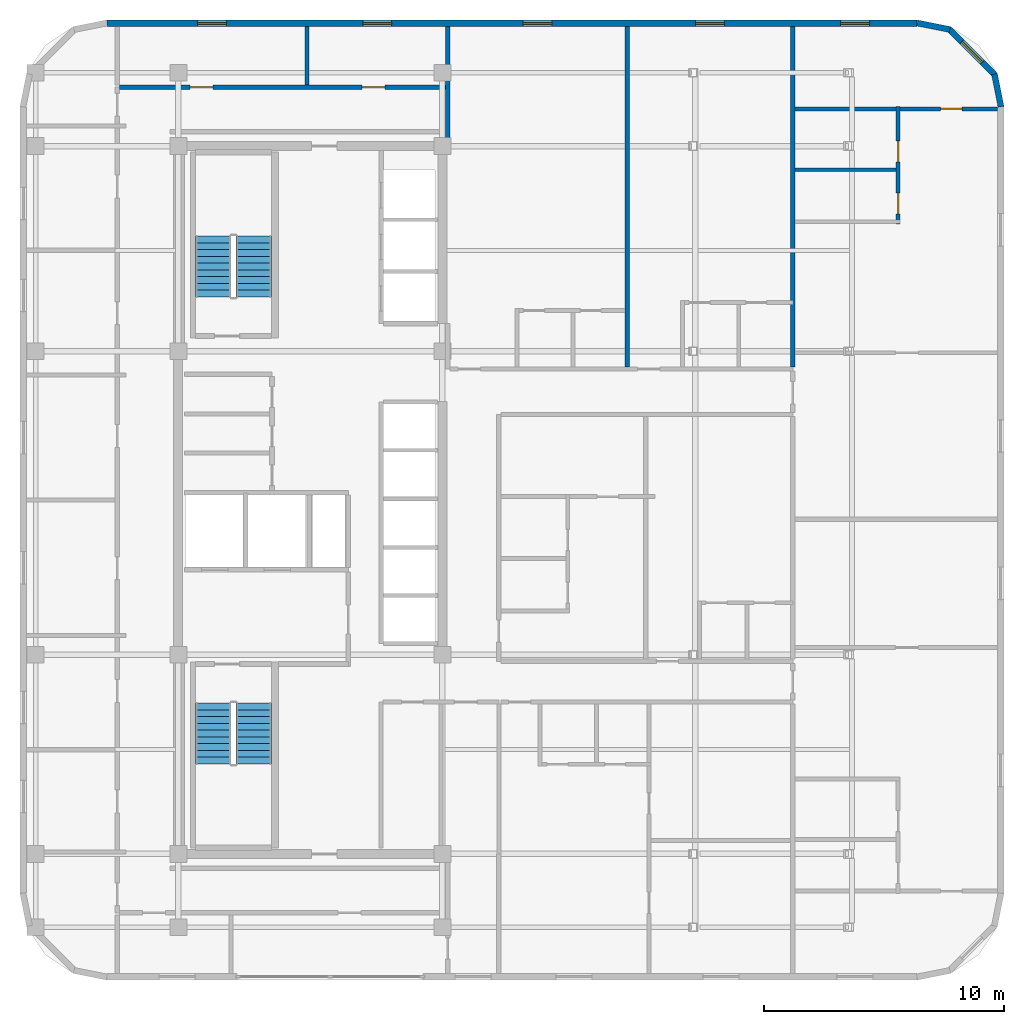
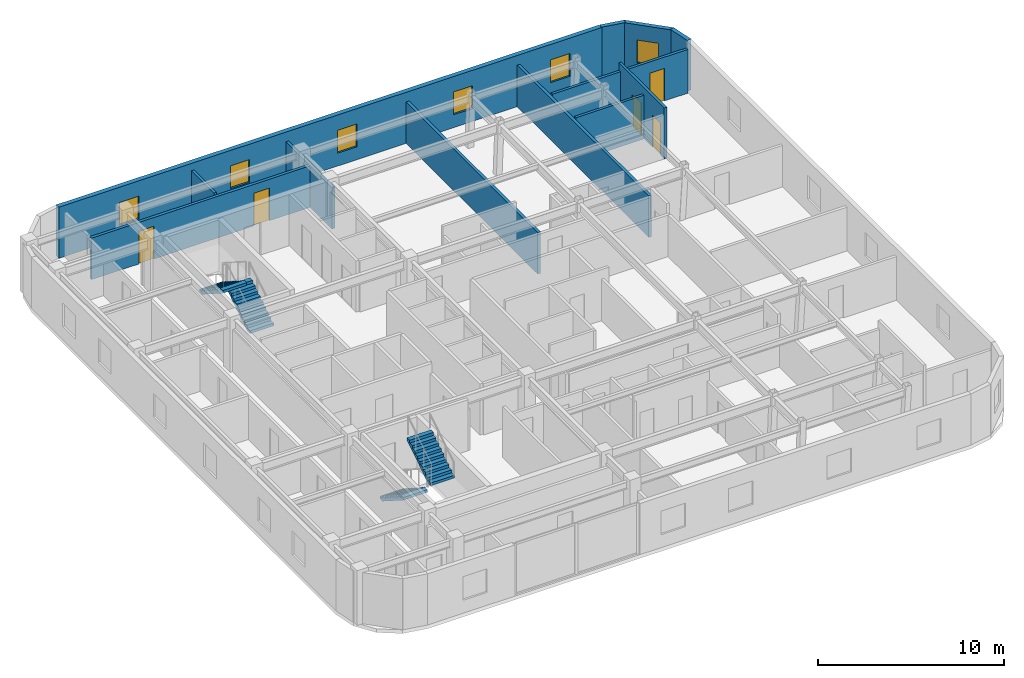
# One storey, part 8 of 9: 12 walls, 6 windows, 5 doors, 4 stair flights, 11 openings, 2 elements without a shape of their own.
"""IFC4 building model written with IfcOpenShell, lengths in metres."""

from ifc_helpers import new_model, si_unit, direction, frame, frame_2d, origin, place, context, subcontext, project, spatial, polyline, rectangle, outline, extrude, material, layer, layer_set, type_object, element, fill, aggregate, save


model = new_model("IFC4")

# Units and contexts
model_context = context("Model", 3, precision=1e-05, world=origin(), true_north=direction((0.0, 1.0)))
body_context = subcontext(model_context, "Body", "Model", "MODEL_VIEW")
ifc_project = project(units=[si_unit("LENGTHUNIT", "METRE"), si_unit("AREAUNIT", "SQUARE_METRE"), si_unit("VOLUMEUNIT", "CUBIC_METRE"), si_unit("PLANEANGLEUNIT", "RADIAN"), si_unit("MASSUNIT", "GRAM", prefix="KILO")], contexts=[model_context])

# Site, building, storey
site_placement = place(None, origin())
site = spatial("IfcSite", under=ifc_project, at=site_placement, CompositionType="ELEMENT")
building_placement = place(site_placement, origin())
building = spatial("IfcBuilding", under=site, at=building_placement, Name="Ochreholt Gables", CompositionType="ELEMENT")
storey_placement = place(building_placement, frame((0.0, 0.0, 162.60009765625)))
storey = spatial("IfcBuildingStorey", under=building, at=storey_placement, Name="L42", CompositionType="ELEMENT", Elevation=162.60009765625)

# Wall, openings, windows
ifc_material_1 = material(Name="Precast concrete 40 MPa", Category="concrete")
ifc_layer_1 = layer(ifc_material_1, 0.280029296875, Name="Precast concrete 40 MPa")
ifc_layer_set_1 = layer_set([ifc_layer_1], Name="Precast concrete 40 MPa")
wall_type_1 = type_object("IfcWallType", Name="WALL-EXT-280", PredefinedType="SOLIDWALL", material=ifc_layer_set_1)
wall_1_placement = place(storey_placement, frame((54.97998046875, 43.860107421875, 0.0), z_axis=(0.0, 0.0, 1.0), x_axis=(-1.0, 0.0, 0.0)))
wall_1 = element("IfcWall", 1, at=wall_1_placement, inside=storey, type_object=wall_type_1, Name="L42 North Exterior Wall", PredefinedType="SOLIDWALL", context=body_context, shape_type="SweptSolid", body=[
    extrude(rectangle(XDim=33.760009765625, YDim=0.280029296875, at=frame_2d((16.8798828125, 0.0))), origin(), (0.0, 0.0, 1.0), 3.35986328125),
])
opening_1_placement = place(wall_1_placement, frame((28.780029296875, 0.0, 0.85009765625)))
opening_1 = element("IfcOpeningElement", 2, at=opening_1_placement, cuts=wall_1, Name="Opening WN-3", PredefinedType="OPENING", context=body_context, shape_type="SweptSolid", body=[
    extrude(rectangle(XDim=1.199951171875, YDim=1.5, at=frame_2d((0.60009765625, 0.75))), frame((0.0, 0.14990234375, 0.0), z_axis=(0.0, -1.0, 0.0), x_axis=(1.0, 0.0, 0.0)), (0.0, 0.0, 1.0), 0.300048828125),
])
opening_2_placement = place(wall_1_placement, frame((21.89501953125, 0.0, 0.85009765625)))
opening_2 = element("IfcOpeningElement", 3, at=opening_2_placement, cuts=wall_1, Name="Opening WN-3", PredefinedType="OPENING", context=body_context, shape_type="SweptSolid", body=[
    extrude(rectangle(XDim=1.199951171875, YDim=1.5, at=frame_2d((0.60009765625, 0.75))), frame((0.0, 0.14990234375, 0.0), z_axis=(0.0, -1.0, 0.0), x_axis=(1.0, 0.0, 0.0)), (0.0, 0.0, 1.0), 0.300048828125),
])
opening_3_placement = place(wall_1_placement, frame((15.22119140625, 0.0, 0.85009765625)))
opening_3 = element("IfcOpeningElement", 4, at=opening_3_placement, cuts=wall_1, Name="Opening WN-3", PredefinedType="OPENING", context=body_context, shape_type="SweptSolid", body=[
    extrude(rectangle(XDim=1.199951171875, YDim=1.5, at=frame_2d((0.60009765625, 0.75))), frame((0.0, 0.14990234375, 0.0), z_axis=(0.0, -1.0, 0.0), x_axis=(1.0, 0.0, 0.0)), (0.0, 0.0, 1.0), 0.300048828125),
])
opening_4_placement = place(wall_1_placement, frame((8.03125, 0.0, 0.85009765625)))
opening_4 = element("IfcOpeningElement", 5, at=opening_4_placement, cuts=wall_1, Name="Opening WN-3", PredefinedType="OPENING", context=body_context, shape_type="SweptSolid", body=[
    extrude(rectangle(XDim=1.199951171875, YDim=1.5, at=frame_2d((0.60009765625, 0.75))), frame((0.0, 0.14990234375, 0.0), z_axis=(0.0, -1.0, 0.0), x_axis=(1.0, 0.0, 0.0)), (0.0, 0.0, 1.0), 0.300048828125),
])
opening_5_placement = place(wall_1_placement, frame((1.989990234375, 0.0, 0.85009765625)))
opening_5 = element("IfcOpeningElement", 6, at=opening_5_placement, cuts=wall_1, Name="Opening WN-3", PredefinedType="OPENING", context=body_context, shape_type="SweptSolid", body=[
    extrude(rectangle(XDim=1.199951171875, YDim=1.5, at=frame_2d((0.60009765625, 0.75))), frame((0.0, 0.14990234375, 0.0), z_axis=(0.0, -1.0, 0.0), x_axis=(1.0, 0.0, 0.0)), (0.0, 0.0, 1.0), 0.300048828125),
])
ifc_material_2 = material(Name="Triple-Glazed Thermally Broken Aluminium Window", Category="aluminium")
window_type = type_object("IfcWindowType", Name="WIN-RES-1200", PartitioningType="SINGLE_PANEL", PredefinedType="WINDOW", material=ifc_material_2)
window_1_placement = place(opening_1_placement, origin())
window_1 = element("IfcWindow", 7, at=window_1_placement, inside=storey, type_object=window_type, Name="L42 Window W-EXT-N-L42-1", OverallHeight=1.5, OverallWidth=1.199951171875, PartitioningType="SINGLE_PANEL", PredefinedType="WINDOW", context=body_context, shape_type="SweptSolid", body=[
    extrude(rectangle(XDim=1.199951171875, YDim=1.5, at=frame_2d((0.60009765625, 0.75))), frame((0.0, 0.030029296875, 0.0), z_axis=(0.0, -1.0, 0.0), x_axis=(1.0, 0.0, 0.0)), (0.0, 0.0, 1.0), 0.06005859375),
])
fill(opening_1, window_1)
window_2_placement = place(opening_2_placement, origin())
window_2 = element("IfcWindow", 8, at=window_2_placement, inside=storey, type_object=window_type, Name="L42 Window W-EXT-N-L42-2", OverallHeight=1.5, OverallWidth=1.199951171875, PartitioningType="SINGLE_PANEL", PredefinedType="WINDOW", context=body_context, shape_type="SweptSolid", body=[
    extrude(rectangle(XDim=1.199951171875, YDim=1.5, at=frame_2d((0.60009765625, 0.75))), frame((0.0, 0.030029296875, 0.0), z_axis=(0.0, -1.0, 0.0), x_axis=(1.0, 0.0, 0.0)), (0.0, 0.0, 1.0), 0.06005859375),
])
fill(opening_2, window_2)
window_3_placement = place(opening_3_placement, origin())
window_3 = element("IfcWindow", 9, at=window_3_placement, inside=storey, type_object=window_type, Name="L42 Window W-EXT-N-L42-3", OverallHeight=1.5, OverallWidth=1.199951171875, PartitioningType="SINGLE_PANEL", PredefinedType="WINDOW", context=body_context, shape_type="SweptSolid", body=[
    extrude(rectangle(XDim=1.199951171875, YDim=1.5, at=frame_2d((0.60009765625, 0.75))), frame((0.0, 0.030029296875, 0.0), z_axis=(0.0, -1.0, 0.0), x_axis=(1.0, 0.0, 0.0)), (0.0, 0.0, 1.0), 0.06005859375),
])
fill(opening_3, window_3)
window_4_placement = place(opening_4_placement, origin())
window_4 = element("IfcWindow", 10, at=window_4_placement, inside=storey, type_object=window_type, Name="L42 Window W-EXT-N-L42-4", OverallHeight=1.5, OverallWidth=1.199951171875, PartitioningType="SINGLE_PANEL", PredefinedType="WINDOW", context=body_context, shape_type="SweptSolid", body=[
    extrude(rectangle(XDim=1.199951171875, YDim=1.5, at=frame_2d((0.60009765625, 0.75))), frame((0.0, 0.030029296875, 0.0), z_axis=(0.0, -1.0, 0.0), x_axis=(1.0, 0.0, 0.0)), (0.0, 0.0, 1.0), 0.06005859375),
])
fill(opening_4, window_4)
window_5_placement = place(opening_5_placement, origin())
window_5 = element("IfcWindow", 11, at=window_5_placement, inside=storey, type_object=window_type, Name="L42 Window W-EXT-N-L42-5", OverallHeight=1.5, OverallWidth=1.199951171875, PartitioningType="SINGLE_PANEL", PredefinedType="WINDOW", context=body_context, shape_type="SweptSolid", body=[
    extrude(rectangle(XDim=1.199951171875, YDim=1.5, at=frame_2d((0.60009765625, 0.75))), frame((0.0, 0.030029296875, 0.0), z_axis=(0.0, -1.0, 0.0), x_axis=(1.0, 0.0, 0.0)), (0.0, 0.0, 1.0), 0.06005859375),
])
fill(opening_5, window_5)

# Wall
ifc_layer_2 = layer(ifc_material_1, 0.25, Name="Precast concrete 40 MPa")
ifc_layer_set_2 = layer_set([ifc_layer_2], Name="Precast concrete 40 MPa")
wall_type_2 = type_object("IfcWallType", Name="WALL-EXT-CNR", PredefinedType="SOLIDWALL", material=ifc_layer_set_2)
wall_2_placement = place(storey_placement, frame((58.475830078125, 40.383544921875, 0.0), z_axis=(0.0, 0.0, 1.0), x_axis=(-0.19496651342, 0.980809899341, 0.0)))
element("IfcWall", 12, at=wall_2_placement, inside=storey, type_object=wall_type_2, Name="L42 Rounded Corner Wall NE-1", PredefinedType="SOLIDWALL", context=body_context, shape_type="SweptSolid", body=[
    extrude(rectangle(XDim=1.388671875, YDim=0.25, at=frame_2d((0.6943359375, 0.0))), origin(), (0.0, 0.0, 1.0), 3.35986328125),
])

# Wall, opening, window
wall_3_placement = place(storey_placement, frame((58.23193359375, 41.695068359375, 0.0), z_axis=(0.0, 0.0, 1.0), x_axis=(-0.707106781187, 0.707106781187, 0.0)))
wall_3 = element("IfcWall", 13, at=wall_3_placement, inside=storey, type_object=wall_type_2, Name="L42 Rounded Corner Wall NE-2", PredefinedType="SOLIDWALL", context=body_context, shape_type="SweptSolid", body=[
    extrude(rectangle(XDim=2.7392578125, YDim=0.25, at=frame_2d((1.36962890625, 0.0))), origin(), (0.0, 0.0, 1.0), 3.35986328125),
])
opening_6_placement = place(wall_3_placement, frame((0.769775390625, 0.0, 0.85009765625)))
opening_6 = element("IfcOpeningElement", 14, at=opening_6_placement, cuts=wall_3, Name="Opening WN-3", PredefinedType="OPENING", context=body_context, shape_type="SweptSolid", body=[
    extrude(rectangle(XDim=1.199951171875, YDim=1.5, at=frame_2d((0.60009765625, 0.75))), frame((0.0, 0.135009765625, 0.0), z_axis=(0.0, -1.0, 0.0), x_axis=(1.0, 0.0, 0.0)), (0.0, 0.0, 1.0), 0.27001953125),
])
window_6_placement = place(opening_6_placement, origin())
window_6 = element("IfcWindow", 15, at=window_6_placement, inside=storey, type_object=window_type, Name="L42 Corner Bedroom Window NE", OverallHeight=1.5, OverallWidth=1.199951171875, PartitioningType="SINGLE_PANEL", PredefinedType="WINDOW", context=body_context, shape_type="SweptSolid", body=[
    extrude(rectangle(XDim=1.199951171875, YDim=1.5, at=frame_2d((0.60009765625, 0.75))), frame((0.0, 0.030029296875, 0.0), z_axis=(0.0, -1.0, 0.0), x_axis=(1.0, 0.0, 0.0)), (0.0, 0.0, 1.0), 0.06005859375),
])
fill(opening_6, window_6)

# Wall
wall_4_placement = place(storey_placement, frame((56.345458984375, 43.60498046875, 0.0), z_axis=(0.0, 0.0, 1.0), x_axis=(-0.980809899341, 0.19496651342, 0.0)))
element("IfcWall", 16, at=wall_4_placement, inside=storey, type_object=wall_type_2, Name="L42 Rounded Corner Wall NE-3", PredefinedType="SOLIDWALL", context=body_context, shape_type="SweptSolid", body=[
    extrude(rectangle(XDim=1.388671875, YDim=0.25, at=frame_2d((0.6943359375, 0.0))), origin(), (0.0, 0.0, 1.0), 3.35986328125),
])

# Wall, openings, doors
ifc_material_3 = material(Name="Fire-Rated Gypsum Acoustic Partition", Category="gypsum")
ifc_layer_3 = layer(ifc_material_3, 0.179931640625, Name="Fire-Rated Gypsum Acoustic Partition")
ifc_layer_set_3 = layer_set([ifc_layer_3], Name="Fire-Rated Gypsum Acoustic Partition")
wall_type_3 = type_object("IfcWallType", Name="WALL-INT-CR180", PredefinedType="STANDARD", material=ifc_layer_set_3)
wall_5_placement = place(storey_placement, frame((21.739990234375, 41.199951171875, 0.0), z_axis=(0.0, 0.0, 1.0), x_axis=(1.0, 0.0, 0.0)))
wall_5 = element("IfcWall", 17, at=wall_5_placement, inside=storey, type_object=wall_type_3, Name="L42 Interior Wall WI-C2WCN-L42", PredefinedType="STANDARD", context=body_context, shape_type="SweptSolid", body=[
    extrude(rectangle(XDim=13.679931640625, YDim=0.179931640625, at=frame_2d((6.83984375, 0.0))), origin(), (0.0, 0.0, 1.0), 2.72998046875),
])
opening_7_placement = place(wall_5_placement, frame((2.949951171875, 0.0, 0.0)))
opening_7 = element("IfcOpeningElement", 18, at=opening_7_placement, cuts=wall_5, Name="Opening D-GN1", PredefinedType="OPENING", context=body_context, shape_type="SweptSolid", body=[
    extrude(rectangle(XDim=0.949951171875, YDim=2.14990234375, at=frame_2d((0.47509765625, 1.074951171875))), frame((0.0, 0.099853515625, 0.0), z_axis=(0.0, -1.0, 0.0), x_axis=(1.0, 0.0, 0.0)), (0.0, 0.0, 1.0), 0.199951171875),
])
opening_8_placement = place(wall_5_placement, frame((10.110107421875, 0.0, 0.0)))
opening_8 = element("IfcOpeningElement", 19, at=opening_8_placement, cuts=wall_5, Name="Opening D-GN1", PredefinedType="OPENING", context=body_context, shape_type="SweptSolid", body=[
    extrude(rectangle(XDim=0.949951171875, YDim=2.14990234375, at=frame_2d((0.47509765625, 1.074951171875))), frame((0.0, 0.099853515625, 0.0), z_axis=(0.0, -1.0, 0.0), x_axis=(1.0, 0.0, 0.0)), (0.0, 0.0, 1.0), 0.199951171875),
])
ifc_material_4 = material(Name="Engineered Oak Timber", Category="wood")
door_type_1 = type_object("IfcDoorType", Name="DR-INT-GEN950", OperationType="NOTDEFINED", PredefinedType="DOOR", material=ifc_material_4)
door_1_placement = place(opening_7_placement, origin())
door_1 = element("IfcDoor", 20, at=door_1_placement, inside=storey, type_object=door_type_1, Name="L42 Door D-C2NRS1-L42", OperationType="SINGLE_SWING_RIGHT", OverallHeight=2.14990234375, OverallWidth=0.949951171875, PredefinedType="DOOR", context=body_context, shape_type="SweptSolid", body=[
    extrude(rectangle(XDim=0.949951171875, YDim=2.14990234375, at=frame_2d((0.47509765625, 1.074951171875))), frame((0.0, 0.02490234375, 0.0), z_axis=(0.0, -1.0, 0.0), x_axis=(1.0, 0.0, 0.0)), (0.0, 0.0, 1.0), 0.050048828125),
])
fill(opening_7, door_1)
door_2_placement = place(opening_8_placement, origin())
door_2 = element("IfcDoor", 21, at=door_2_placement, inside=storey, type_object=door_type_1, Name="L42 Door D-C2NRS2-L42", OperationType="SINGLE_SWING_LEFT", OverallHeight=2.14990234375, OverallWidth=0.949951171875, PredefinedType="DOOR", context=body_context, shape_type="SweptSolid", body=[
    extrude(rectangle(XDim=0.949951171875, YDim=2.14990234375, at=frame_2d((0.47509765625, 1.074951171875))), frame((0.0, 0.02490234375, 0.0), z_axis=(0.0, -1.0, 0.0), x_axis=(1.0, 0.0, 0.0)), (0.0, 0.0, 1.0), 0.050048828125),
])
fill(opening_8, door_2)

# Walls
ifc_material_5 = material(Name="Double-Stud Acoustic Demising Wall", Category="gypsum")
ifc_layer_4 = layer(ifc_material_5, 0.179931640625, Name="Double-Stud Acoustic Demising Wall")
ifc_layer_set_4 = layer_set([ifc_layer_4], Name="Double-Stud Acoustic Demising Wall")
wall_type_4 = type_object("IfcWallType", Name="WALL-INT-DM180", PredefinedType="PARTITIONING", material=ifc_layer_set_4)
wall_6_placement = place(storey_placement, frame((35.419921875, 38.75, 0.0), z_axis=(0.0, 0.0, 1.0), x_axis=(0.0, 1.0, 0.0)))
element("IfcWall", 22, at=wall_6_placement, inside=storey, type_object=wall_type_4, Name="L42 Interior Wall WI-C2NEN-L42", PredefinedType="PARTITIONING", context=body_context, shape_type="SweptSolid", body=[
    extrude(rectangle(XDim=4.969970703125, YDim=0.179931640625, at=frame_2d((2.48486328125, 0.0))), origin(), (0.0, 0.0, 1.0), 2.72998046875),
])
for number, where, z_axis, x_axis, name in (
    (23, (42.897705078125, 29.550048828125, 0.0), (0.0, 0.0, 1.0), (0.0, 1.0, 0.0), "L42 Interior Wall WI-C2UDN-L42"),
    (24, (49.800048828125, 29.550048828125, 0.0), (0.0, 0.0, 1.0), (0.0, 1.0, 0.0), "L42 Interior Wall WI-C2FEW3-L42"),
):
    element("IfcWall", number, at=place(storey_placement, frame(where, z_axis=z_axis, x_axis=x_axis)), inside=storey, type_object=wall_type_4, Name=name, PredefinedType="PARTITIONING", context=body_context, shape_type="SweptSolid", body=[
        extrude(rectangle(XDim=14.169921875, YDim=0.179931640625, at=frame_2d((7.0849609375, 0.0))), origin(), (0.0, 0.0, 1.0), 2.72998046875),
    ])

# Wall, openings, doors
ifc_material_6 = material(Name="Moisture-Resistant Plumbing Chase Wall", Category="gypsum")
ifc_layer_5 = layer(ifc_material_6, 0.159912109375, Name="Moisture-Resistant Plumbing Chase Wall")
ifc_layer_set_5 = layer_set([ifc_layer_5], Name="Moisture-Resistant Plumbing Chase Wall")
wall_type_5 = type_object("IfcWallType", Name="WALL-INT-PL160", PredefinedType="PLUMBINGWALL", material=ifc_layer_set_5)
wall_7_placement = place(storey_placement, frame((54.18994140625, 35.5029296875, 0.0), z_axis=(0.0, 0.0, 1.0), x_axis=(0.0, 1.0, 0.0)))
wall_7 = element("IfcWall", 25, at=wall_7_placement, inside=storey, type_object=wall_type_5, Name="L42 Interior Wall WU-L42FEN-WX", PredefinedType="PLUMBINGWALL", context=body_context, shape_type="SweptSolid", body=[
    extrude(rectangle(XDim=4.886962890625, YDim=0.159912109375, at=frame_2d((2.443359375, 0.0))), origin(), (0.0, 0.0, 1.0), 3.35986328125),
])
opening_9_placement = place(wall_7_placement, frame((0.419921875, 0.0, 0.0)))
opening_9 = element("IfcOpeningElement", 26, at=opening_9_placement, cuts=wall_7, Name="Opening D-BT1", PredefinedType="OPENING", context=body_context, shape_type="SweptSolid", body=[
    extrude(rectangle(XDim=0.860107421875, YDim=2.1201171875, at=frame_2d((0.43017578125, 1.06005859375))), frame((0.0, 0.08984375, 0.0), z_axis=(0.0, -1.0, 0.0), x_axis=(1.0, 0.0, 0.0)), (0.0, 0.0, 1.0), 0.179931640625),
])
opening_10_placement = place(wall_7_placement, frame((2.585205078125, 0.0, 0.0)))
opening_10 = element("IfcOpeningElement", 27, at=opening_10_placement, cuts=wall_7, Name="Opening D-GN2", PredefinedType="OPENING", context=body_context, shape_type="SweptSolid", body=[
    extrude(rectangle(XDim=0.8798828125, YDim=2.1201171875, at=frame_2d((0.43994140625, 1.06005859375))), frame((0.0, 0.08984375, 0.0), z_axis=(0.0, -1.0, 0.0), x_axis=(1.0, 0.0, 0.0)), (0.0, 0.0, 1.0), 0.179931640625),
])
door_type_2 = type_object("IfcDoorType", Name="DR-INT-BTH860", OperationType="NOTDEFINED", PredefinedType="DOOR", material=ifc_material_4)
door_3_placement = place(opening_9_placement, origin())
door_3 = element("IfcDoor", 28, at=door_3_placement, inside=storey, type_object=door_type_2, Name="L42 Door D-U-L42FEN-BTH", OperationType="SINGLE_SWING_LEFT", OverallHeight=2.1201171875, OverallWidth=0.860107421875, PredefinedType="DOOR", context=body_context, shape_type="SweptSolid", body=[
    extrude(rectangle(XDim=0.860107421875, YDim=2.1201171875, at=frame_2d((0.43017578125, 1.06005859375))), frame((0.0, 0.02490234375, 0.0), z_axis=(0.0, -1.0, 0.0), x_axis=(1.0, 0.0, 0.0)), (0.0, 0.0, 1.0), 0.050048828125),
])
fill(opening_9, door_3)
door_type_3 = type_object("IfcDoorType", Name="DR-INT-GEN880", OperationType="NOTDEFINED", PredefinedType="DOOR", material=ifc_material_4)
door_4_placement = place(opening_10_placement, origin())
door_4 = element("IfcDoor", 29, at=door_4_placement, inside=storey, type_object=door_type_3, Name="L42 Door D-U-L42FEN-KIT", OperationType="SINGLE_SWING_RIGHT", OverallHeight=2.1201171875, OverallWidth=0.8798828125, PredefinedType="DOOR", context=body_context, shape_type="SweptSolid", body=[
    extrude(rectangle(XDim=0.8798828125, YDim=2.1201171875, at=frame_2d((0.43994140625, 1.06005859375))), frame((0.0, 0.02490234375, 0.0), z_axis=(0.0, -1.0, 0.0), x_axis=(1.0, 0.0, 0.0)), (0.0, 0.0, 1.0), 0.050048828125),
])
fill(opening_10, door_4)

# Wall
wall_8_placement = place(storey_placement, frame((49.889892578125, 37.75830078125, 0.0), z_axis=(0.0, 0.0, 1.0), x_axis=(1.0, 0.0, 0.0)))
element("IfcWall", 30, at=wall_8_placement, inside=storey, type_object=wall_type_5, Name="L42 Interior Wall WU-L42FEN-WK", PredefinedType="PLUMBINGWALL", context=body_context, shape_type="SweptSolid", body=[
    extrude(rectangle(XDim=4.22021484375, YDim=0.159912109375, at=frame_2d((2.110107421875, 0.0))), origin(), (0.0, 0.0, 1.0), 2.87890625),
])

# Wall, opening, door
ifc_material_7 = material(Name="Gypsum Acoustic Stud Partition", Category="gypsum")
ifc_layer_6 = layer(ifc_material_7, 0.1650390625, Name="Gypsum Acoustic Stud Partition")
ifc_layer_set_6 = layer_set([ifc_layer_6], Name="Gypsum Acoustic Stud Partition")
wall_type_6 = type_object("IfcWallType", Name="WALL-INT-PT165", PredefinedType="PARTITIONING", material=ifc_layer_set_6)
wall_9_placement = place(storey_placement, frame((49.889892578125, 40.300048828125, 0.0), z_axis=(0.0, 0.0, 1.0), x_axis=(1.0, 0.0, 0.0)))
wall_9 = element("IfcWall", 31, at=wall_9_placement, inside=storey, type_object=wall_type_6, Name="L42 Interior Wall WU-L42FEN-MN", PredefinedType="PARTITIONING", context=body_context, shape_type="SweptSolid", body=[
    extrude(rectangle(XDim=8.43017578125, YDim=0.1650390625, at=frame_2d((4.215087890625, 0.0))), origin(), (0.0, 0.0, 1.0), 2.87890625),
])
opening_11_placement = place(wall_9_placement, frame((6.070068359375, 0.0, 0.0)))
opening_11 = element("IfcOpeningElement", 32, at=opening_11_placement, cuts=wall_9, Name="Opening D-BD1", PredefinedType="OPENING", context=body_context, shape_type="SweptSolid", body=[
    extrude(rectangle(XDim=0.89990234375, YDim=2.139892578125, at=frame_2d((0.449951171875, 1.06982421875))), frame((0.0, 0.092529296875, 0.0), z_axis=(0.0, -1.0, 0.0), x_axis=(1.0, 0.0, 0.0)), (0.0, 0.0, 1.0), 0.18505859375),
])
door_type_4 = type_object("IfcDoorType", Name="DR-INT-BED900", OperationType="NOTDEFINED", PredefinedType="DOOR", material=ifc_material_4)
door_5_placement = place(opening_11_placement, origin())
door_5 = element("IfcDoor", 33, at=door_5_placement, inside=storey, type_object=door_type_4, Name="L42 Door D-U-L42FEN-BD1", OperationType="SINGLE_SWING_LEFT", OverallHeight=2.139892578125, OverallWidth=0.89990234375, PredefinedType="DOOR", context=body_context, shape_type="SweptSolid", body=[
    extrude(rectangle(XDim=0.89990234375, YDim=2.139892578125, at=frame_2d((0.449951171875, 1.06982421875))), frame((0.0, 0.02490234375, 0.0), z_axis=(0.0, -1.0, 0.0), x_axis=(1.0, 0.0, 0.0)), (0.0, 0.0, 1.0), 0.050048828125),
])
fill(opening_11, door_5)

# Wall
wall_10_placement = place(storey_placement, frame((29.550048828125, 41.2900390625, 0.0), z_axis=(0.0, 0.0, 1.0), x_axis=(0.0, 1.0, 0.0)))
element("IfcWall", 34, at=wall_10_placement, inside=storey, type_object=wall_type_6, Name="L42 Interior Wall WI-C2PKN-L42", PredefinedType="PARTITIONING", context=body_context, shape_type="SweptSolid", body=[
    extrude(rectangle(XDim=2.429931640625, YDim=0.1650390625, at=frame_2d((1.21484375, 0.0))), origin(), (0.0, 0.0, 1.0), 2.87890625),
])

# Stair, stair flights
ifc_material_8 = material(Name="Concrete 40 MPa", Category="concrete")
stair_type_1 = type_object("IfcStairType", Name="STAIR-CORE-ST-1", PredefinedType="HALF_TURN_STAIR", material=ifc_material_8)
stair_1_placement = place(storey_placement, origin())
stair_1 = element("IfcStair", 35, at=stair_1_placement, inside=storey, type_object=stair_type_1, Name="L42 Core Exit Stair 1", PredefinedType="HALF_TURN_STAIR")
stair_flight_type = type_object("IfcStairFlightType", Name="FLIGHT-ST-1480-1800", PredefinedType="STRAIGHT", material=ifc_material_8)
stair_flight_1_placement = place(storey_placement, frame((25.659912109375, 15.5400390625, 0.0), z_axis=(0.0, 0.0, 1.0), x_axis=(0.0, -1.0, 0.0)))
stair_flight_1 = element("IfcStairFlight", 36, at=stair_flight_1_placement, type_object=stair_flight_type, Name="ST-1 flight 1", NumberOfRisers=10, NumberOfTreads=9, PredefinedType="STRAIGHT", RiserHeight=0.18, TreadLength=0.282, context=body_context, shape_type="SweptSolid", body=[
    extrude(outline(polyline([(0.0, 0.0), (0.0, 0.179931640625), (0.281982421875, 0.179931640625), (0.281982421875, 0.360107421875), (0.56396484375, 0.360107421875), (0.56396484375, 0.5400390625), (0.845947265625, 0.5400390625), (0.845947265625, 0.719970703125), (1.1279296875, 0.719970703125), (1.1279296875, 0.89990234375), (1.409912109375, 0.89990234375), (1.409912109375, 1.080078125), (1.69189453125, 1.080078125), (1.69189453125, 1.260009765625), (1.97412109375, 1.260009765625), (1.97412109375, 1.43994140625), (2.256103515625, 1.43994140625), (2.256103515625, 1.6201171875), (2.5380859375, 1.6201171875), (2.5380859375, 1.800048828125), (2.5380859375, 1.442138671875), (0.278564453125, 0.0), (0.0, 0.0)])), frame((0.0, 0.739990234375, 0.0), z_axis=(0.0, -1.0, 0.0), x_axis=(1.0, 0.0, 0.0)), (0.0, 0.0, 1.0), 1.47998046875),
])
stair_flight_2_placement = place(storey_placement, frame((27.340087890625, 13.001953125, 1.7998046875), z_axis=(0.0, 0.0, 1.0), x_axis=(0.0, 1.0, 0.0)))
stair_flight_2 = element("IfcStairFlight", 37, at=stair_flight_2_placement, type_object=stair_flight_type, Name="ST-1 flight 2", NumberOfRisers=10, NumberOfTreads=9, PredefinedType="STRAIGHT", RiserHeight=0.18, TreadLength=0.282, context=body_context, shape_type="SweptSolid", body=[
    extrude(outline(polyline([(0.0, 0.0), (0.0, 0.179931640625), (0.281982421875, 0.179931640625), (0.281982421875, 0.360107421875), (0.56396484375, 0.360107421875), (0.56396484375, 0.5400390625), (0.845947265625, 0.5400390625), (0.845947265625, 0.719970703125), (1.1279296875, 0.719970703125), (1.1279296875, 0.89990234375), (1.409912109375, 0.89990234375), (1.409912109375, 1.080078125), (1.69189453125, 1.080078125), (1.69189453125, 1.260009765625), (1.97412109375, 1.260009765625), (1.97412109375, 1.43994140625), (2.256103515625, 1.43994140625), (2.256103515625, 1.6201171875), (2.5380859375, 1.6201171875), (2.5380859375, 1.800048828125), (2.5380859375, 1.442138671875), (0.278564453125, 0.0), (0.0, 0.0)])), frame((0.0, 0.739990234375, 0.0), z_axis=(0.0, -1.0, 0.0), x_axis=(1.0, 0.0, 0.0)), (0.0, 0.0, 1.0), 1.47998046875),
])
aggregate(stair_1, [stair_flight_1, stair_flight_2])

stair_type_2 = type_object("IfcStairType", Name="STAIR-CORE-ST-2", PredefinedType="HALF_TURN_STAIR", material=ifc_material_8)
stair_2_placement = place(storey_placement, origin())
stair_2 = element("IfcStair", 38, at=stair_2_placement, inside=storey, type_object=stair_type_2, Name="L42 Core Exit Stair 2", PredefinedType="HALF_TURN_STAIR")
stair_flight_3_placement = place(storey_placement, frame((27.340087890625, 32.4599609375, 0.0), z_axis=(0.0, 0.0, 1.0), x_axis=(0.0, 1.0, 0.0)))
stair_flight_3 = element("IfcStairFlight", 39, at=stair_flight_3_placement, type_object=stair_flight_type, Name="ST-2 flight 1", NumberOfRisers=10, NumberOfTreads=9, PredefinedType="STRAIGHT", RiserHeight=0.18, TreadLength=0.282, context=body_context, shape_type="SweptSolid", body=[
    extrude(outline(polyline([(0.0, 0.0), (0.0, 0.179931640625), (0.281982421875, 0.179931640625), (0.281982421875, 0.360107421875), (0.56396484375, 0.360107421875), (0.56396484375, 0.5400390625), (0.845947265625, 0.5400390625), (0.845947265625, 0.719970703125), (1.1279296875, 0.719970703125), (1.1279296875, 0.89990234375), (1.409912109375, 0.89990234375), (1.409912109375, 1.080078125), (1.69189453125, 1.080078125), (1.69189453125, 1.260009765625), (1.97412109375, 1.260009765625), (1.97412109375, 1.43994140625), (2.256103515625, 1.43994140625), (2.256103515625, 1.6201171875), (2.5380859375, 1.6201171875), (2.5380859375, 1.800048828125), (2.5380859375, 1.442138671875), (0.278564453125, 0.0), (0.0, 0.0)])), frame((0.0, 0.739990234375, 0.0), z_axis=(0.0, -1.0, 0.0), x_axis=(1.0, 0.0, 0.0)), (0.0, 0.0, 1.0), 1.47998046875),
])
stair_flight_4_placement = place(storey_placement, frame((25.659912109375, 34.998046875, 1.7998046875), z_axis=(0.0, 0.0, 1.0), x_axis=(0.0, -1.0, 0.0)))
stair_flight_4 = element("IfcStairFlight", 40, at=stair_flight_4_placement, type_object=stair_flight_type, Name="ST-2 flight 2", NumberOfRisers=10, NumberOfTreads=9, PredefinedType="STRAIGHT", RiserHeight=0.18, TreadLength=0.282, context=body_context, shape_type="SweptSolid", body=[
    extrude(outline(polyline([(0.0, 0.0), (0.0, 0.179931640625), (0.281982421875, 0.179931640625), (0.281982421875, 0.360107421875), (0.56396484375, 0.360107421875), (0.56396484375, 0.5400390625), (0.845947265625, 0.5400390625), (0.845947265625, 0.719970703125), (1.1279296875, 0.719970703125), (1.1279296875, 0.89990234375), (1.409912109375, 0.89990234375), (1.409912109375, 1.080078125), (1.69189453125, 1.080078125), (1.69189453125, 1.260009765625), (1.97412109375, 1.260009765625), (1.97412109375, 1.43994140625), (2.256103515625, 1.43994140625), (2.256103515625, 1.6201171875), (2.5380859375, 1.6201171875), (2.5380859375, 1.800048828125), (2.5380859375, 1.442138671875), (0.278564453125, 0.0), (0.0, 0.0)])), frame((0.0, 0.739990234375, 0.0), z_axis=(0.0, -1.0, 0.0), x_axis=(1.0, 0.0, 0.0)), (0.0, 0.0, 1.0), 1.47998046875),
])
aggregate(stair_2, [stair_flight_3, stair_flight_4])

save(model, "model.ifc")
